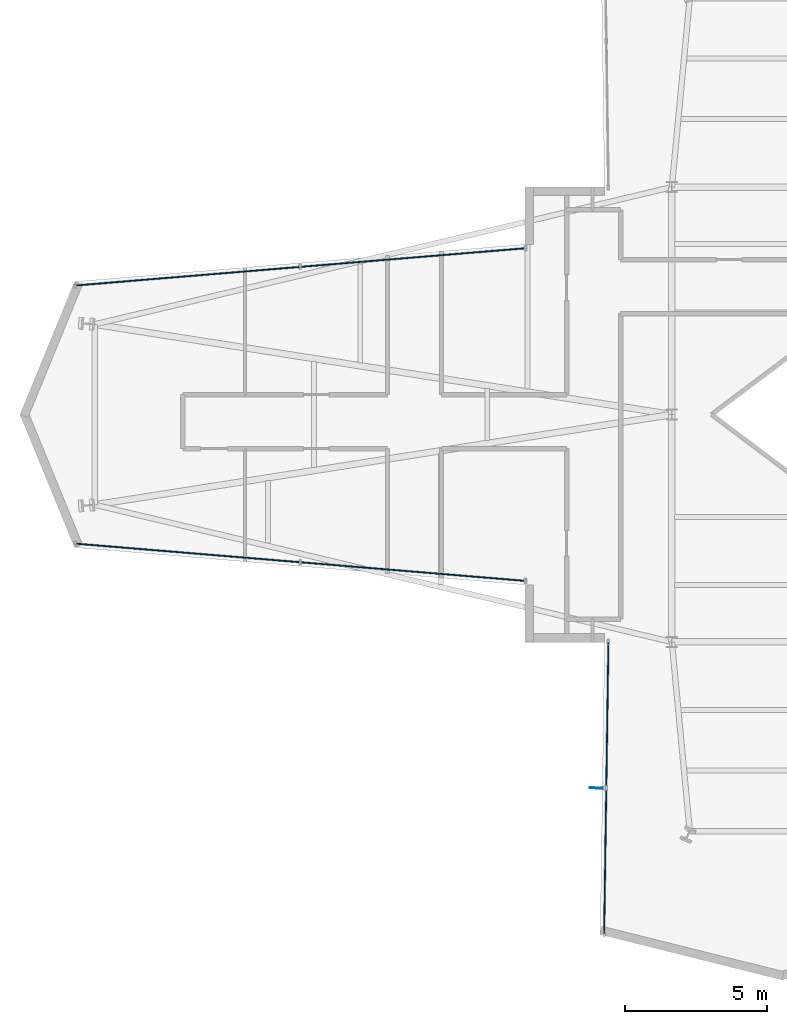
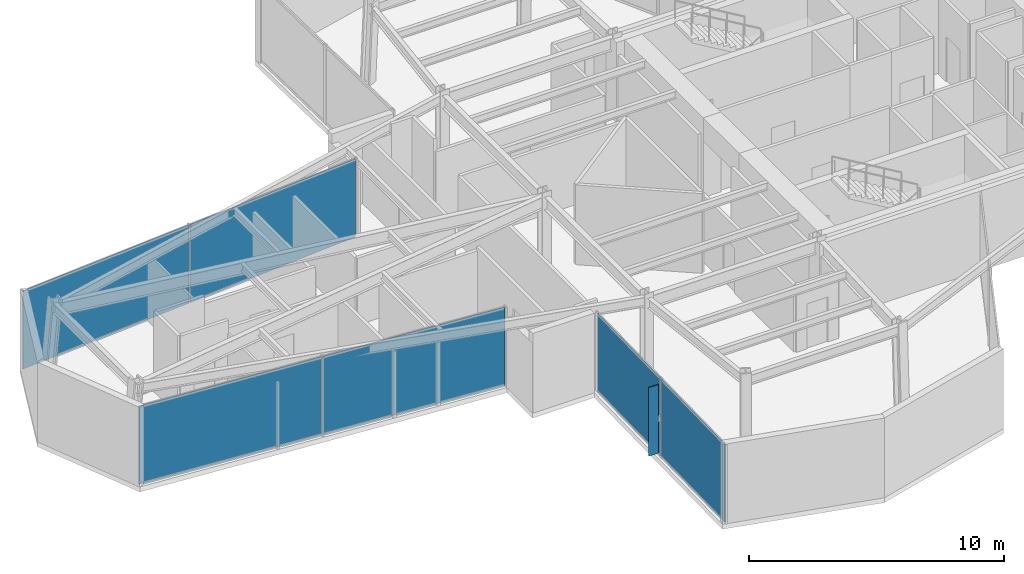
# One storey, part 19 of 24: 7 plates, 3 elements without a shape of their own.
"""IFC4 building model written with IfcOpenShell, lengths in metres."""

from ifc_helpers import new_model, si_unit, direction, frame, origin, origin_2d, place, context, subcontext, project, spatial, rectangle, extrude, material, layer, layer_set, type_object, element, aggregate, save


model = new_model("IFC4")

# Units and contexts
model_context = context("Model", 3, precision=1e-05, world=origin(), true_north=direction((0.0, 1.0)))
body_context = subcontext(model_context, "Body", "Model", "MODEL_VIEW")
ifc_project = project(units=[si_unit("LENGTHUNIT", "METRE"), si_unit("AREAUNIT", "SQUARE_METRE"), si_unit("VOLUMEUNIT", "CUBIC_METRE"), si_unit("PLANEANGLEUNIT", "RADIAN"), si_unit("MASSUNIT", "GRAM", prefix="KILO")], contexts=[model_context])

# Site, building, storey
site_placement = place(None, origin())
site = spatial("IfcSite", under=ifc_project, at=site_placement, CompositionType="ELEMENT")
building_placement = place(site_placement, origin())
building = spatial("IfcBuilding", under=site, at=building_placement, Name="Veymaron Broadcast Tower", CompositionType="ELEMENT")
storey_placement = place(building_placement, frame((0.0, 0.0, 124.949951171875)))
storey = spatial("IfcBuildingStorey", under=building, at=storey_placement, Name="L28", CompositionType="ELEMENT", Elevation=124.949951171875)

# Curtain wall, plates
ifc_material_1 = material(Name="Anodised aluminium AA 6063-T6 and laminated low-E dark glass", Category="aluminium")
ifc_layer_1 = layer(ifc_material_1, 0.179931640625)
ifc_layer_set_1 = layer_set([ifc_layer_1], Name="Anodised aluminium AA 6063-T6 and laminated low-E dark glass")
curtain_wall_type = type_object("IfcCurtainWallType", Name="CW-SYS-03", PredefinedType="NOTDEFINED", material=ifc_layer_set_1)
curtain_wall_1_placement = place(storey_placement, origin())
curtain_wall_1 = element("IfcCurtainWall", 1, at=curtain_wall_1_placement, inside=storey, type_object=curtain_wall_type, Name="L28 dark-glass curtain wall CW-L28-E11-1", PredefinedType="NOTDEFINED")
ifc_material_2 = material(Name="Insulated dark-anodised aluminium spandrel panel 40 mm", Category="aluminium")
ifc_layer_2 = layer(ifc_material_2, 0.0400390625)
ifc_layer_set_2 = layer_set([ifc_layer_2], Name="Insulated dark-anodised aluminium spandrel panel 40 mm")
plate_type_1 = type_object("IfcPlateType", Name="CW-PNL-03", PredefinedType="CURTAIN_PANEL", material=ifc_layer_set_2)
plate_1_placement = place(storey_placement, frame((22.091552734375, 29.52294921875, 0.0400390625), z_axis=(0.0, 0.0, 1.0), x_axis=(-0.996588588054, -0.082529910699, 0.0)))
plate_1 = element("IfcPlate", 2, at=plate_1_placement, type_object=plate_type_1, Name="CW-L28-E11-1 unitised curtain panel 0", PredefinedType="CURTAIN_PANEL", context=body_context, shape_type="SweptSolid", body=[
    extrude(rectangle(XDim=7.88720703125, YDim=0.0400390625, at=origin_2d()), origin(), (0.0, 0.0, 1.0), 3.72998046875),
])
plate_2_placement = place(storey_placement, frame((14.171630859375, 28.866943359375, 0.0400390625), z_axis=(0.0, 0.0, 1.0), x_axis=(-0.996588588054, -0.082529910699, 0.0)))
plate_2 = element("IfcPlate", 3, at=plate_2_placement, type_object=plate_type_1, Name="CW-L28-E11-1 unitised curtain panel 1", PredefinedType="CURTAIN_PANEL", context=body_context, shape_type="SweptSolid", body=[
    extrude(rectangle(XDim=7.88720703125, YDim=0.0400390625, at=origin_2d()), origin(), (0.0, 0.0, 1.0), 3.72998046875),
])
aggregate(curtain_wall_1, [plate_1, plate_2])

curtain_wall_2_placement = place(storey_placement, origin())
curtain_wall_2 = element("IfcCurtainWall", 4, at=curtain_wall_2_placement, inside=storey, type_object=curtain_wall_type, Name="L28 dark-glass curtain wall CW-L28-E14-1", PredefinedType="NOTDEFINED")
plate_3_placement = place(storey_placement, frame((14.171630859375, 19.133056640625, 0.0400390625), z_axis=(0.0, 0.0, 1.0), x_axis=(0.996588588054, -0.082529910699, 0.0)))
plate_3 = element("IfcPlate", 5, at=plate_3_placement, type_object=plate_type_1, Name="CW-L28-E14-1 unitised curtain panel 0", PredefinedType="CURTAIN_PANEL", context=body_context, shape_type="SweptSolid", body=[
    extrude(rectangle(XDim=7.88720703125, YDim=0.0400390625, at=origin_2d()), origin(), (0.0, 0.0, 1.0), 3.72998046875),
])
plate_4_placement = place(storey_placement, frame((22.091552734375, 18.47705078125, 0.0400390625), z_axis=(0.0, 0.0, 1.0), x_axis=(0.996588588054, -0.082529910699, 0.0)))
plate_4 = element("IfcPlate", 6, at=plate_4_placement, type_object=plate_type_1, Name="CW-L28-E14-1 unitised curtain panel 1", PredefinedType="CURTAIN_PANEL", context=body_context, shape_type="SweptSolid", body=[
    extrude(rectangle(XDim=7.88720703125, YDim=0.0400390625, at=origin_2d()), origin(), (0.0, 0.0, 1.0), 3.72998046875),
])
aggregate(curtain_wall_2, [plate_3, plate_4])

curtain_wall_3_placement = place(storey_placement, origin())
curtain_wall_3 = element("IfcCurtainWall", 7, at=curtain_wall_3_placement, inside=storey, type_object=curtain_wall_type, Name="L28 dark-glass curtain wall CW-L28-E17-1", PredefinedType="NOTDEFINED")
plate_5_placement = place(storey_placement, frame((28.9306640625, 13.427978515625, 0.0400390625), z_axis=(0.0, 0.0, 1.0), x_axis=(-0.014642789111, -0.999892788616, 0.0)))
plate_5 = element("IfcPlate", 8, at=plate_5_placement, type_object=plate_type_1, Name="CW-L28-E17-1 unitised curtain panel 0", PredefinedType="CURTAIN_PANEL", context=body_context, shape_type="SweptSolid", body=[
    extrude(rectangle(XDim=5.08056640625, YDim=0.0400390625, at=origin_2d()), origin(), (0.0, 0.0, 1.0), 3.72998046875),
])
plate_6_placement = place(storey_placement, frame((28.85546875, 8.2880859375, 0.0400390625), z_axis=(0.0, 0.0, 1.0), x_axis=(-0.014642789111, -0.999892788616, 0.0)))
plate_6 = element("IfcPlate", 9, at=plate_6_placement, type_object=plate_type_1, Name="CW-L28-E17-1 unitised curtain panel 1", PredefinedType="CURTAIN_PANEL", context=body_context, shape_type="SweptSolid", body=[
    extrude(rectangle(XDim=5.08056640625, YDim=0.0400390625, at=origin_2d()), origin(), (0.0, 0.0, 1.0), 3.72998046875),
])
aggregate(curtain_wall_3, [plate_5, plate_6])

# Plate
ifc_material_3 = material(Name="Dark-anodised aluminium AA 6061-T6", Category="aluminium")
ifc_layer_3 = layer(ifc_material_3, 0.034912109375)
ifc_layer_set_3 = layer_set([ifc_layer_3], Name="Dark-anodised aluminium AA 6061-T6")
plate_type_2 = type_object("IfcPlateType", Name="FIN-CHEV-01", PredefinedType="USERDEFINED", material=ifc_layer_set_3)
plate_7_placement = place(storey_placement, frame((28.5380859375, 10.86328125, 0.2666015625), z_axis=(0.0, 0.0, 1.0), x_axis=(-0.999892788616, 0.014642789111, 0.0)))
element("IfcPlate", 10, at=plate_7_placement, inside=storey, type_object=plate_type_2, Name="CW-L28-E17-1 chevron fin 1", ObjectType="FIN", PredefinedType="USERDEFINED", context=body_context, shape_type="SweptSolid", body=[
    extrude(rectangle(XDim=0.449951171875, YDim=0.034912109375, at=origin_2d()), origin(), (0.0, 0.0, 1.0), 3.276611328125),
])

save(model, "model.ifc")
